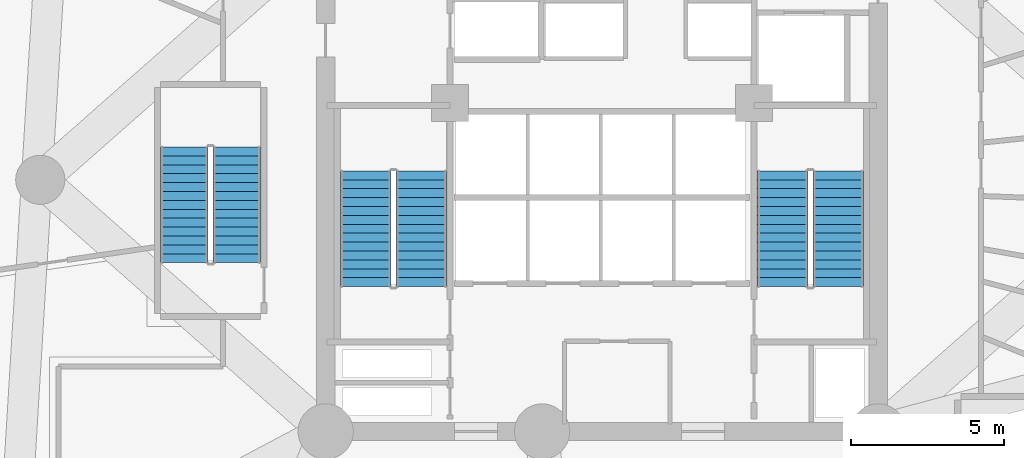
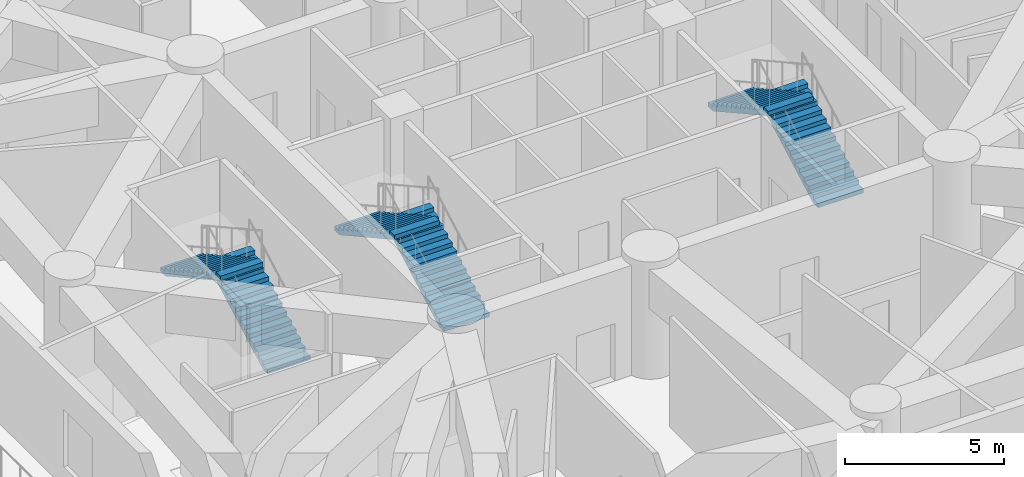
# One storey, part 19 of 22: 6 stair flights, 3 elements without a shape of their own.
"""IFC4 building model written with IfcOpenShell, lengths in metres."""

from ifc_helpers import new_model, si_unit, direction, frame, origin, place, context, subcontext, project, spatial, polyline, outline, extrude, material, type_object, element, aggregate, save


model = new_model("IFC4")

# Units and contexts
model_context = context("Model", 3, precision=1e-05, world=origin(), true_north=direction((0.0, 1.0)))
body_context = subcontext(model_context, "Body", "Model", "MODEL_VIEW")
ifc_project = project(units=[si_unit("LENGTHUNIT", "METRE"), si_unit("AREAUNIT", "SQUARE_METRE"), si_unit("VOLUMEUNIT", "CUBIC_METRE"), si_unit("PLANEANGLEUNIT", "RADIAN"), si_unit("MASSUNIT", "GRAM", prefix="KILO")], contexts=[model_context])

# Site, building, storey
site_placement = place(None, origin())
site = spatial("IfcSite", under=ifc_project, at=site_placement, CompositionType="ELEMENT")
building_placement = place(site_placement, origin())
building = spatial("IfcBuilding", under=site, at=building_placement, Name="Karkom Vertical University and Central Library", CompositionType="ELEMENT")
storey_placement = place(building_placement, frame((0.0, 0.0, 18.0)))
storey = spatial("IfcBuildingStorey", under=building, at=storey_placement, Name="L04", CompositionType="ELEMENT", Elevation=18.0)

# Stair, stair flights
ifc_material = material(Name="Concrete C45/55", Category="concrete")
stair_type_1 = type_object("IfcStairType", Name="INT-STR-ST-MAIN", PredefinedType="HALF_TURN_STAIR", material=ifc_material)
stair_1_placement = place(storey_placement, origin())
stair_1 = element("IfcStair", 1, at=stair_1_placement, inside=storey, type_object=stair_type_1, Name="Level 04 Tower Protected Exit Stair ST-1", PredefinedType="HALF_TURN_STAIR")
stair_flight_type_1 = type_object("IfcStairFlightType", Name="INT-SFL-ST-MAIN", PredefinedType="STRAIGHT", material=ifc_material)
stair_flight_1_placement = place(storey_placement, frame((22.614990234375, 23.02001953125, 0.0), z_axis=(0.0, 0.0, 1.0), x_axis=(0.0, 1.0, 0.0)))
stair_flight_1 = element("IfcStairFlight", 2, at=stair_flight_1_placement, type_object=stair_flight_type_1, Name="ST-1 flight 1", NumberOfRisers=14, NumberOfTreads=13, PredefinedType="STRAIGHT", RiserHeight=0.160714286, TreadLength=0.29, context=body_context, shape_type="SweptSolid", body=[
    extrude(outline(polyline([(0.0, 0.0), (0.0, 0.16064453125), (0.2900390625, 0.16064453125), (0.2900390625, 0.321533203125), (0.580078125, 0.321533203125), (0.580078125, 0.482177734375), (0.8701171875, 0.482177734375), (0.8701171875, 0.642822265625), (1.159912109375, 0.642822265625), (1.159912109375, 0.803466796875), (1.449951171875, 0.803466796875), (1.449951171875, 0.96435546875), (1.739990234375, 0.96435546875), (1.739990234375, 1.125), (2.030029296875, 1.125), (2.030029296875, 1.28564453125), (2.320068359375, 1.28564453125), (2.320068359375, 1.446533203125), (2.610107421875, 1.446533203125), (2.610107421875, 1.607177734375), (2.89990234375, 1.607177734375), (2.89990234375, 1.767822265625), (3.18994140625, 1.767822265625), (3.18994140625, 1.928466796875), (3.47998046875, 1.928466796875), (3.47998046875, 2.08935546875), (3.77001953125, 2.08935546875), (3.77001953125, 2.25), (3.77001953125, 1.91796875), (0.309326171875, 0.0), (0.0, 0.0)])), frame((0.0, 0.824951171875, 0.0), z_axis=(0.0, -1.0, 0.0), x_axis=(1.0, 0.0, 0.0)), (0.0, 0.0, 1.0), 1.64990234375),
])
stair_flight_2_placement = place(storey_placement, frame((20.804931640625, 26.7900390625, 2.25), z_axis=(0.0, 0.0, 1.0), x_axis=(0.0, -1.0, 0.0)))
stair_flight_2 = element("IfcStairFlight", 3, at=stair_flight_2_placement, type_object=stair_flight_type_1, Name="ST-1 flight 2", NumberOfRisers=14, NumberOfTreads=13, PredefinedType="STRAIGHT", RiserHeight=0.160714286, TreadLength=0.29, context=body_context, shape_type="SweptSolid", body=[
    extrude(outline(polyline([(0.0, 0.0), (0.0, 0.16064453125), (0.2900390625, 0.16064453125), (0.2900390625, 0.321533203125), (0.580078125, 0.321533203125), (0.580078125, 0.482177734375), (0.8701171875, 0.482177734375), (0.8701171875, 0.642822265625), (1.159912109375, 0.642822265625), (1.159912109375, 0.803466796875), (1.449951171875, 0.803466796875), (1.449951171875, 0.96435546875), (1.739990234375, 0.96435546875), (1.739990234375, 1.125), (2.030029296875, 1.125), (2.030029296875, 1.28564453125), (2.320068359375, 1.28564453125), (2.320068359375, 1.446533203125), (2.610107421875, 1.446533203125), (2.610107421875, 1.607177734375), (2.89990234375, 1.607177734375), (2.89990234375, 1.767822265625), (3.18994140625, 1.767822265625), (3.18994140625, 1.928466796875), (3.47998046875, 1.928466796875), (3.47998046875, 2.08935546875), (3.77001953125, 2.08935546875), (3.77001953125, 2.25), (3.77001953125, 1.91796875), (0.309326171875, 0.0), (0.0, 0.0)])), frame((0.0, 0.824951171875, 0.0), z_axis=(0.0, -1.0, 0.0), x_axis=(1.0, 0.0, 0.0)), (0.0, 0.0, 1.0), 1.64990234375),
])
aggregate(stair_1, [stair_flight_1, stair_flight_2])

stair_2_placement = place(storey_placement, origin())
stair_2 = element("IfcStair", 4, at=stair_2_placement, inside=storey, type_object=stair_type_1, Name="Level 04 Tower Protected Exit Stair ST-2", PredefinedType="HALF_TURN_STAIR")
stair_flight_3_placement = place(storey_placement, frame((36.195068359375, 23.02001953125, 0.0), z_axis=(0.0, 0.0, 1.0), x_axis=(0.0, 1.0, 0.0)))
stair_flight_3 = element("IfcStairFlight", 5, at=stair_flight_3_placement, type_object=stair_flight_type_1, Name="ST-2 flight 1", NumberOfRisers=14, NumberOfTreads=13, PredefinedType="STRAIGHT", RiserHeight=0.160714286, TreadLength=0.29, context=body_context, shape_type="SweptSolid", body=[
    extrude(outline(polyline([(0.0, 0.0), (0.0, 0.16064453125), (0.2900390625, 0.16064453125), (0.2900390625, 0.321533203125), (0.580078125, 0.321533203125), (0.580078125, 0.482177734375), (0.8701171875, 0.482177734375), (0.8701171875, 0.642822265625), (1.159912109375, 0.642822265625), (1.159912109375, 0.803466796875), (1.449951171875, 0.803466796875), (1.449951171875, 0.96435546875), (1.739990234375, 0.96435546875), (1.739990234375, 1.125), (2.030029296875, 1.125), (2.030029296875, 1.28564453125), (2.320068359375, 1.28564453125), (2.320068359375, 1.446533203125), (2.610107421875, 1.446533203125), (2.610107421875, 1.607177734375), (2.89990234375, 1.607177734375), (2.89990234375, 1.767822265625), (3.18994140625, 1.767822265625), (3.18994140625, 1.928466796875), (3.47998046875, 1.928466796875), (3.47998046875, 2.08935546875), (3.77001953125, 2.08935546875), (3.77001953125, 2.25), (3.77001953125, 1.91796875), (0.309326171875, 0.0), (0.0, 0.0)])), frame((0.0, 0.824951171875, 0.0), z_axis=(0.0, -1.0, 0.0), x_axis=(1.0, 0.0, 0.0)), (0.0, 0.0, 1.0), 1.64990234375),
])
stair_flight_4_placement = place(storey_placement, frame((34.385009765625, 26.7900390625, 2.25), z_axis=(0.0, 0.0, 1.0), x_axis=(0.0, -1.0, 0.0)))
stair_flight_4 = element("IfcStairFlight", 6, at=stair_flight_4_placement, type_object=stair_flight_type_1, Name="ST-2 flight 2", NumberOfRisers=14, NumberOfTreads=13, PredefinedType="STRAIGHT", RiserHeight=0.160714286, TreadLength=0.29, context=body_context, shape_type="SweptSolid", body=[
    extrude(outline(polyline([(0.0, 0.0), (0.0, 0.16064453125), (0.2900390625, 0.16064453125), (0.2900390625, 0.321533203125), (0.580078125, 0.321533203125), (0.580078125, 0.482177734375), (0.8701171875, 0.482177734375), (0.8701171875, 0.642822265625), (1.159912109375, 0.642822265625), (1.159912109375, 0.803466796875), (1.449951171875, 0.803466796875), (1.449951171875, 0.96435546875), (1.739990234375, 0.96435546875), (1.739990234375, 1.125), (2.030029296875, 1.125), (2.030029296875, 1.28564453125), (2.320068359375, 1.28564453125), (2.320068359375, 1.446533203125), (2.610107421875, 1.446533203125), (2.610107421875, 1.607177734375), (2.89990234375, 1.607177734375), (2.89990234375, 1.767822265625), (3.18994140625, 1.767822265625), (3.18994140625, 1.928466796875), (3.47998046875, 1.928466796875), (3.47998046875, 2.08935546875), (3.77001953125, 2.08935546875), (3.77001953125, 2.25), (3.77001953125, 1.91796875), (0.309326171875, 0.0), (0.0, 0.0)])), frame((0.0, 0.824951171875, 0.0), z_axis=(0.0, -1.0, 0.0), x_axis=(1.0, 0.0, 0.0)), (0.0, 0.0, 1.0), 1.64990234375),
])
aggregate(stair_2, [stair_flight_3, stair_flight_4])

stair_type_2 = type_object("IfcStairType", Name="INT-STR-ST-SEC", PredefinedType="HALF_TURN_STAIR", material=ifc_material)
stair_3_placement = place(storey_placement, origin())
stair_3 = element("IfcStair", 7, at=stair_3_placement, inside=storey, type_object=stair_type_2, Name="Level 04 Academic Zone Protected Exit Stair ST-3", PredefinedType="HALF_TURN_STAIR")
stair_flight_type_2 = type_object("IfcStairFlightType", Name="INT-SFL-ST-SEC", PredefinedType="STRAIGHT", material=ifc_material)
stair_flight_5_placement = place(storey_placement, frame((16.60498046875, 23.800048828125, 0.0), z_axis=(0.0, 0.0, 1.0), x_axis=(0.0, 1.0, 0.0)))
stair_flight_5 = element("IfcStairFlight", 8, at=stair_flight_5_placement, type_object=stair_flight_type_2, Name="ST-3 flight 1", NumberOfRisers=14, NumberOfTreads=13, PredefinedType="STRAIGHT", RiserHeight=0.160714286, TreadLength=0.29, context=body_context, shape_type="SweptSolid", body=[
    extrude(outline(polyline([(0.0, 0.0), (0.0, 0.16064453125), (0.2900390625, 0.16064453125), (0.2900390625, 0.321533203125), (0.580078125, 0.321533203125), (0.580078125, 0.482177734375), (0.8701171875, 0.482177734375), (0.8701171875, 0.642822265625), (1.159912109375, 0.642822265625), (1.159912109375, 0.803466796875), (1.449951171875, 0.803466796875), (1.449951171875, 0.96435546875), (1.739990234375, 0.96435546875), (1.739990234375, 1.125), (2.030029296875, 1.125), (2.030029296875, 1.28564453125), (2.320068359375, 1.28564453125), (2.320068359375, 1.446533203125), (2.610107421875, 1.446533203125), (2.610107421875, 1.607177734375), (2.89990234375, 1.607177734375), (2.89990234375, 1.767822265625), (3.18994140625, 1.767822265625), (3.18994140625, 1.928466796875), (3.47998046875, 1.928466796875), (3.47998046875, 2.08935546875), (3.77001953125, 2.08935546875), (3.77001953125, 2.25), (3.77001953125, 1.91796875), (0.309326171875, 0.0), (0.0, 0.0)])), frame((0.0, 0.77490234375, 0.0), z_axis=(0.0, -1.0, 0.0), x_axis=(1.0, 0.0, 0.0)), (0.0, 0.0, 1.0), 1.550048828125),
])
stair_flight_6_placement = place(storey_placement, frame((14.89501953125, 27.570068359375, 2.25), z_axis=(0.0, 0.0, 1.0), x_axis=(0.0, -1.0, 0.0)))
stair_flight_6 = element("IfcStairFlight", 9, at=stair_flight_6_placement, type_object=stair_flight_type_2, Name="ST-3 flight 2", NumberOfRisers=14, NumberOfTreads=13, PredefinedType="STRAIGHT", RiserHeight=0.160714286, TreadLength=0.29, context=body_context, shape_type="SweptSolid", body=[
    extrude(outline(polyline([(0.0, 0.0), (0.0, 0.16064453125), (0.2900390625, 0.16064453125), (0.2900390625, 0.321533203125), (0.580078125, 0.321533203125), (0.580078125, 0.482177734375), (0.8701171875, 0.482177734375), (0.8701171875, 0.642822265625), (1.159912109375, 0.642822265625), (1.159912109375, 0.803466796875), (1.449951171875, 0.803466796875), (1.449951171875, 0.96435546875), (1.739990234375, 0.96435546875), (1.739990234375, 1.125), (2.030029296875, 1.125), (2.030029296875, 1.28564453125), (2.320068359375, 1.28564453125), (2.320068359375, 1.446533203125), (2.610107421875, 1.446533203125), (2.610107421875, 1.607177734375), (2.89990234375, 1.607177734375), (2.89990234375, 1.767822265625), (3.18994140625, 1.767822265625), (3.18994140625, 1.928466796875), (3.47998046875, 1.928466796875), (3.47998046875, 2.08935546875), (3.77001953125, 2.08935546875), (3.77001953125, 2.25), (3.77001953125, 1.91796875), (0.309326171875, 0.0), (0.0, 0.0)])), frame((0.0, 0.77490234375, 0.0), z_axis=(0.0, -1.0, 0.0), x_axis=(1.0, 0.0, 0.0)), (0.0, 0.0, 1.0), 1.550048828125),
])
aggregate(stair_3, [stair_flight_5, stair_flight_6])

save(model, "model.ifc")
